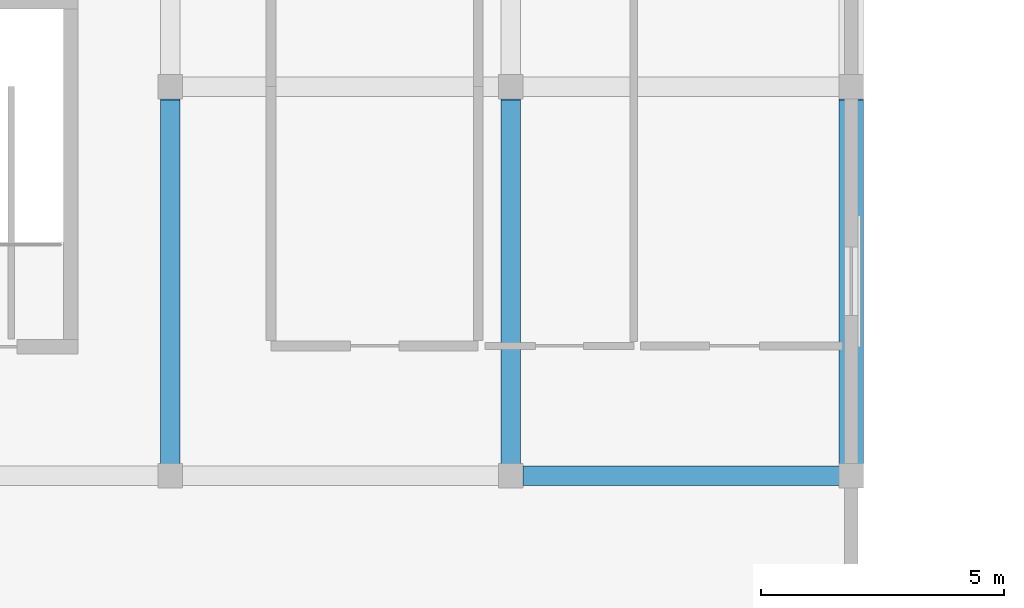
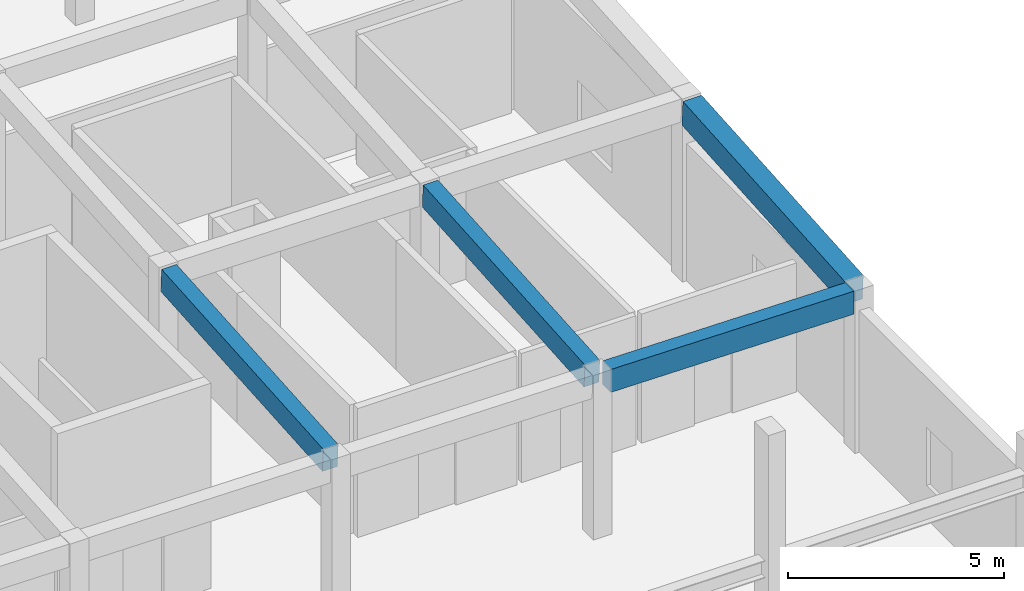
# One storey, part 33 of 89: 4 beams.
"""IFC4 building model written with IfcOpenShell, lengths in metres."""

import ifcopenshell
import ifcopenshell.guid

model = None  # the IFC model being written
_history = None  # IfcOwnerHistory: only IFC2X3 demands one
_inside = {}  # id of a spatial element -> (the spatial element, [elements in it])
_under = {}  # id of a project, library or spatial element -> (it, [spatial elements below it])
_declared = {}  # id of a project -> (the project, [libraries it declares])
_typed = {}  # id of a type object -> (the type object, [elements of that type])
_made_of = {}  # id of a material, layer set ... -> (it, [elements and type objects made of it])


def new_model(schema):
    """Start an empty IFC model of exactly this schema.

    Asked for "IFC4X3", IfcOpenShell would pick the latest addendum, in which some entities
    have other attributes; the version numbers below select the first issue.
    IFC2X3 requires an IfcOwnerHistory on every rooted entity: one is made here for all.
    """
    global model, _history
    if schema == "IFC4X3":
        model = ifcopenshell.file(schema_version=(4, 3, 0, 0))
    else:
        model = ifcopenshell.file(schema=schema)
    _inside.clear()
    _under.clear()
    _declared.clear()
    _typed.clear()
    _made_of.clear()
    _history = None
    if model.schema == "IFC2X3":
        org = make("IfcOrganization", Name="unknown")
        user = make(
            "IfcPersonAndOrganization",
            ThePerson=make("IfcPerson", FamilyName="unknown"),
            TheOrganization=org,
        )
        app = make(
            "IfcApplication",
            ApplicationDeveloper=org,
            Version="unknown",
            ApplicationFullName="unknown",
            ApplicationIdentifier="unknown",
        )
        _history = make(
            "IfcOwnerHistory",
            OwningUser=user,
            OwningApplication=app,
            ChangeAction="ADDED",
            CreationDate=0,
        )
    return model


def make(cls, **values):
    """One entity of the class cls with the attributes given. An attribute that is None is left unset."""
    return model.create_entity(
        cls, **{name: value for name, value in values.items() if value is not None}
    )


def rooted(cls, **values):
    """An entity with a GlobalId (a new one), such as an element, a storey or a relation."""
    return make(cls, GlobalId=ifcopenshell.guid.new(), OwnerHistory=_history, **values)


def si_unit(unit_type, name, prefix=None):
    """IfcSIUnit, for example si_unit("LENGTHUNIT", "METRE", prefix="MILLI")."""
    return make("IfcSIUnit", UnitType=unit_type, Prefix=prefix, Name=name)


def assignment(units):
    """IfcUnitAssignment: the units of a project."""
    return None if units is None else make("IfcUnitAssignment", Units=units)


def point(xyz):
    """IfcCartesianPoint."""
    return None if xyz is None else make("IfcCartesianPoint", Coordinates=xyz)


def direction(xyz):
    """IfcDirection."""
    return None if xyz is None else make("IfcDirection", DirectionRatios=xyz)


def frame(location, z_axis=None, x_axis=None):
    """IfcAxis2Placement3D, a coordinate frame: its origin and axes. An axis left out is left unset."""
    return make(
        "IfcAxis2Placement3D",
        Location=point(location),
        Axis=direction(z_axis),
        RefDirection=direction(x_axis),
    )


def frame_2d(location, x_axis=None):
    """IfcAxis2Placement2D, a coordinate frame in the plane: its origin and x axis."""
    return make(
        "IfcAxis2Placement2D", Location=point(location), RefDirection=direction(x_axis)
    )


def origin():
    """The frame at (0, 0, 0) with its axes left unset."""
    return frame((0.0, 0.0, 0.0))


def origin_2d():
    """The frame at (0, 0) in the plane with its x axis left unset."""
    return frame_2d((0.0, 0.0))


def place(relative_to, where):
    """IfcLocalPlacement: puts the frame where relative to a parent placement (None: the world)."""
    return make(
        "IfcLocalPlacement", PlacementRelTo=relative_to, RelativePlacement=where
    )


def context(
    kind, dimensions, precision=None, world=None, true_north=None, identifier=None
):
    """IfcGeometricRepresentationContext, for example the 3D "Model" context."""
    return make(
        "IfcGeometricRepresentationContext",
        ContextIdentifier=identifier,
        ContextType=kind,
        CoordinateSpaceDimension=dimensions,
        Precision=precision,
        WorldCoordinateSystem=world,
        TrueNorth=true_north,
    )


def subcontext(parent, identifier, kind, view, scale=None):
    """IfcGeometricRepresentationSubContext, for example "Body" below "Model"."""
    return make(
        "IfcGeometricRepresentationSubContext",
        ContextIdentifier=identifier,
        ContextType=kind,
        ParentContext=parent,
        TargetScale=scale,
        TargetView=view,
    )


def project(units=None, contexts=None):
    """IfcProject with its units and contexts."""
    return rooted(
        "IfcProject",
        Name="project",
        RepresentationContexts=contexts,
        UnitsInContext=assignment(units),
    )


def spatial(cls, under=None, at=None, **own):
    """A site, building, storey or space (cls), placed at a placement, below another one or the project."""
    s = rooted(cls, ObjectPlacement=at, **own)
    if under is not None:
        _under.setdefault(under.id(), (under, []))[1].append(s)
    return s


def profile(cls, at=None, kind="AREA", **sizes):
    """A parametric profile (cls). Its sizes go by their IFC names, for example OverallWidth=200.0."""
    return make(cls, ProfileType=kind, Position=at, **sizes)


def rectangle(**sizes):
    """IfcRectangleProfileDef."""
    return profile("IfcRectangleProfileDef", **sizes)


def extrude(swept, where, along, depth):
    """IfcExtrudedAreaSolid: the profile swept, set in the frame where, extruded along a direction by depth."""
    return make(
        "IfcExtrudedAreaSolid",
        SweptArea=swept,
        Position=where,
        ExtrudedDirection=direction(along),
        Depth=depth,
    )


def shape(context_of_items, identifier, shape_type, items):
    """IfcShapeRepresentation: the items that make up one representation, for example the "Body"."""
    return make(
        "IfcShapeRepresentation",
        ContextOfItems=context_of_items,
        RepresentationIdentifier=identifier,
        RepresentationType=shape_type,
        Items=items,
    )


def material(Name=None, Category=None):
    """IfcMaterial."""
    return make("IfcMaterial", Name=Name, Category=Category)


def material_profile(
    of_material, cross_section, Name=None, Category=None, Priority=None
):
    """IfcMaterialProfile: a cross section and its material."""
    return make(
        "IfcMaterialProfile",
        Name=Name,
        Material=of_material,
        Profile=cross_section,
        Priority=Priority,
        Category=Category,
    )


def profile_set(profiles, Name=None, composite=None):
    """IfcMaterialProfileSet."""
    return make(
        "IfcMaterialProfileSet",
        Name=Name,
        MaterialProfiles=profiles,
        CompositeProfile=composite,
    )


def made_of(thing, what):
    """Note that an element or type object is made of a material, layer set ...; save() writes the relation."""
    if what is not None:
        _made_of.setdefault(what.id(), (what, []))[1].append(thing)
    return thing


def type_object(cls, material=None, **own):
    """A type object (cls), such as IfcWallType, which elements share."""
    return made_of(rooted(cls, **own), material)


def element(
    cls,
    number,
    at=None,
    inside=None,
    cuts=None,
    type_object=None,
    material=None,
    context=None,
    identifier="Body",
    shape_type=None,
    held_by="IfcProductDefinitionShape",
    body=None,
    shapes=None,
    **own,
):
    """One element of the class cls, such as IfcWall. Its Tag is "e" and its number.

    at: its placement. inside: the storey or other place that contains it. cuts: it is an
    opening in that element (IfcRelVoidsElement). A single representation is given by context,
    identifier, shape_type and body (its items); several are given by shapes. held_by: the class
    of the entity that holds the representations. save() writes the other relations.
    """
    e = rooted(cls, Tag="e%d" % number, ObjectPlacement=at, **own)
    if body is not None:
        shapes = [shape(context, identifier, shape_type, body)]
    if shapes is not None:
        e.Representation = make(held_by, Representations=shapes)
    if inside is not None:
        _inside.setdefault(inside.id(), (inside, []))[1].append(e)
    if cuts is not None:
        rooted(
            "IfcRelVoidsElement", RelatingBuildingElement=cuts, RelatedOpeningElement=e
        )
    if type_object is not None:
        _typed.setdefault(type_object.id(), (type_object, []))[1].append(e)
    return made_of(e, material)


def aggregate(whole, parts):
    """IfcRelAggregates: a whole, such as a stair, and the parts it consists of."""
    return rooted("IfcRelAggregates", RelatingObject=whole, RelatedObjects=parts)


def save(model, path):
    """Write the relations noted so far, then the file.

    IfcRelAggregates (storeys below a building ...), IfcRelContainedInSpatialStructure (elements
    in a storey), IfcRelDefinesByType, IfcRelAssociatesMaterial and IfcRelDeclares: one each for
    every whole, place, type object, material and project.
    """
    for whole, parts in _under.values():
        aggregate(whole, parts)
    for where, things in _inside.values():
        rooted(
            "IfcRelContainedInSpatialStructure",
            RelatedElements=things,
            RelatingStructure=where,
        )
    for kind, things in _typed.values():
        rooted("IfcRelDefinesByType", RelatedObjects=things, RelatingType=kind)
    for what, things in _made_of.values():
        rooted("IfcRelAssociatesMaterial", RelatedObjects=things, RelatingMaterial=what)
    for by, libraries in _declared.values():
        rooted("IfcRelDeclares", RelatingContext=by, RelatedDefinitions=libraries)
    model.write(path)


model = new_model("IFC4")

# Units and contexts
model_context = context("Model", 3, precision=1e-05, world=origin(), true_north=direction((0.0, 1.0)))
body_context = subcontext(model_context, "Body", "Model", "MODEL_VIEW")
ifc_project = project(units=[si_unit("LENGTHUNIT", "METRE"), si_unit("AREAUNIT", "SQUARE_METRE"), si_unit("VOLUMEUNIT", "CUBIC_METRE"), si_unit("PLANEANGLEUNIT", "RADIAN"), si_unit("MASSUNIT", "GRAM", prefix="KILO")], contexts=[model_context])

# Site, building, storey
site_placement = place(None, origin())
site = spatial("IfcSite", under=ifc_project, at=site_placement, CompositionType="ELEMENT")
building_placement = place(site_placement, origin())
building = spatial("IfcBuilding", under=site, at=building_placement, Name="Tonlespit Floodbar School", CompositionType="ELEMENT")
storey_placement = place(building_placement, frame((0.0, 0.0, 4.5)))
storey = spatial("IfcBuildingStorey", under=building, at=storey_placement, Name="L01", CompositionType="ELEMENT", Elevation=4.5)

# Beams
ifc_material = material(Name="Concrete C40/50", Category="concrete")
ifc_material_profile_1 = material_profile(ifc_material, rectangle(XDim=0.39990234375, YDim=0.64990234375, at=origin_2d()), Name="RC 400x650")
ifc_profile_set_1 = profile_set([ifc_material_profile_1], Name="Concrete C40/50")
beam_type_1 = type_object("IfcBeamType", Name="Beam_RC_400x650", PredefinedType="BEAM", material=ifc_profile_set_1)
beam_1_placement = place(storey_placement, frame((169.25, 64.0, 4.298583984375), z_axis=(0.999955563291, 0.0, -0.009427165204), x_axis=(0.0, 1.0, 0.0)))
element("IfcBeam", 1, at=beam_1_placement, inside=storey, type_object=beam_type_1, Name="L01 girder 0584", PredefinedType="BEAM", context=body_context, shape_type="SweptSolid", body=[
    extrude(rectangle(XDim=0.39990234375, YDim=0.64990234375, at=origin_2d()), origin(), (0.0, 0.0, 1.0), 6.500244140625),
])
for number, where, z_axis, x_axis, name in (
    (2, (162.0, 64.25, 4.385009765625), (0.0, 0.997333262526, 0.072981939263), (-1.0, 0.0, 0.0), "L01 girder 0768"),
    (3, (169.0, 64.25, 4.3193359375), (0.0, 0.997335625069, 0.072949646795), (-1.0, 0.0, 0.0), "L01 girder 0775"),
):
    element("IfcBeam", number, at=place(storey_placement, frame(where, z_axis=z_axis, x_axis=x_axis)), inside=storey, type_object=beam_type_1, Name=name, PredefinedType="BEAM", context=body_context, shape_type="SweptSolid", body=[
        extrude(rectangle(XDim=0.39990234375, YDim=0.64990234375, at=origin_2d()), origin(), (0.0, 0.0, 1.0), 7.52001953125),
    ])
ifc_material_profile_2 = material_profile(ifc_material, rectangle(XDim=0.5, YDim=0.699951171875, at=origin_2d()), Name="RC 500x700")
ifc_profile_set_2 = profile_set([ifc_material_profile_2], Name="Concrete C40/50")
beam_type_2 = type_object("IfcBeamType", Name="Spandrel_RC_500x700", PredefinedType="SPANDREL", material=ifc_profile_set_2)
beam_2_placement = place(storey_placement, frame((176.0, 64.25, 4.228515625), z_axis=(0.0, 0.997335625069, 0.072949646795), x_axis=(-1.0, 0.0, 0.0)))
element("IfcBeam", 4, at=beam_2_placement, inside=storey, type_object=beam_type_2, Name="L01 girder 0782", PredefinedType="SPANDREL", context=body_context, shape_type="SweptSolid", body=[
    extrude(rectangle(XDim=0.5, YDim=0.699951171875, at=origin_2d()), origin(), (0.0, 0.0, 1.0), 7.52001953125),
])

save(model, "model.ifc")
